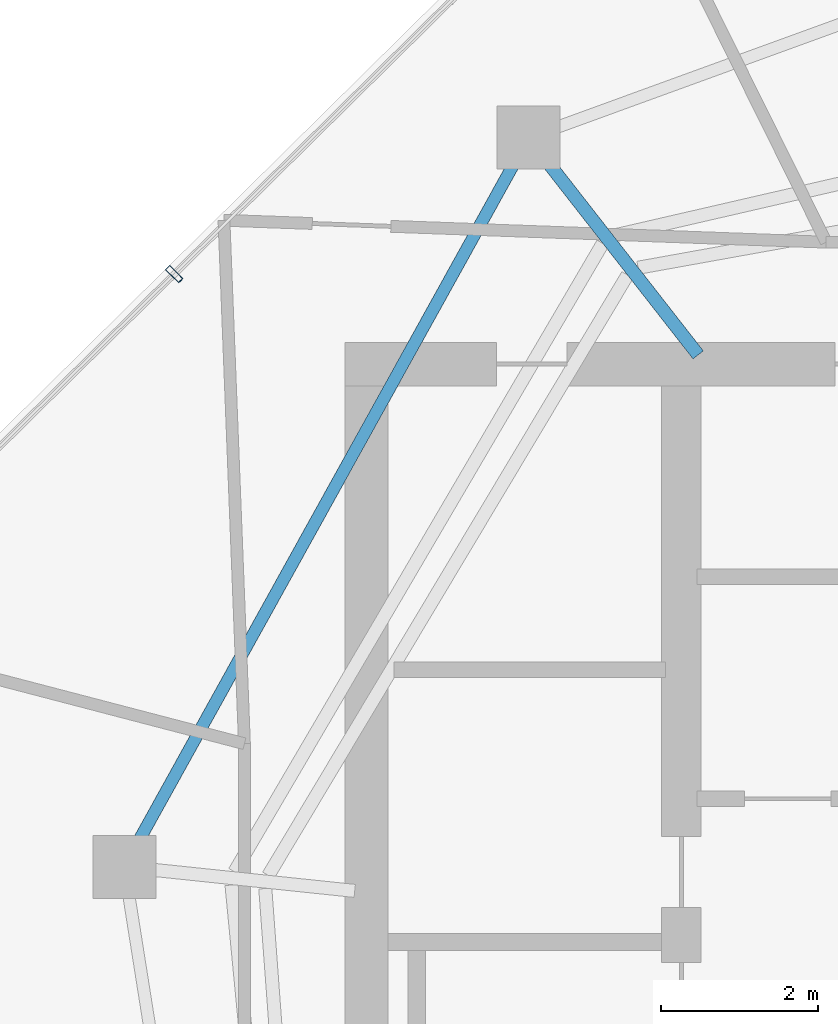
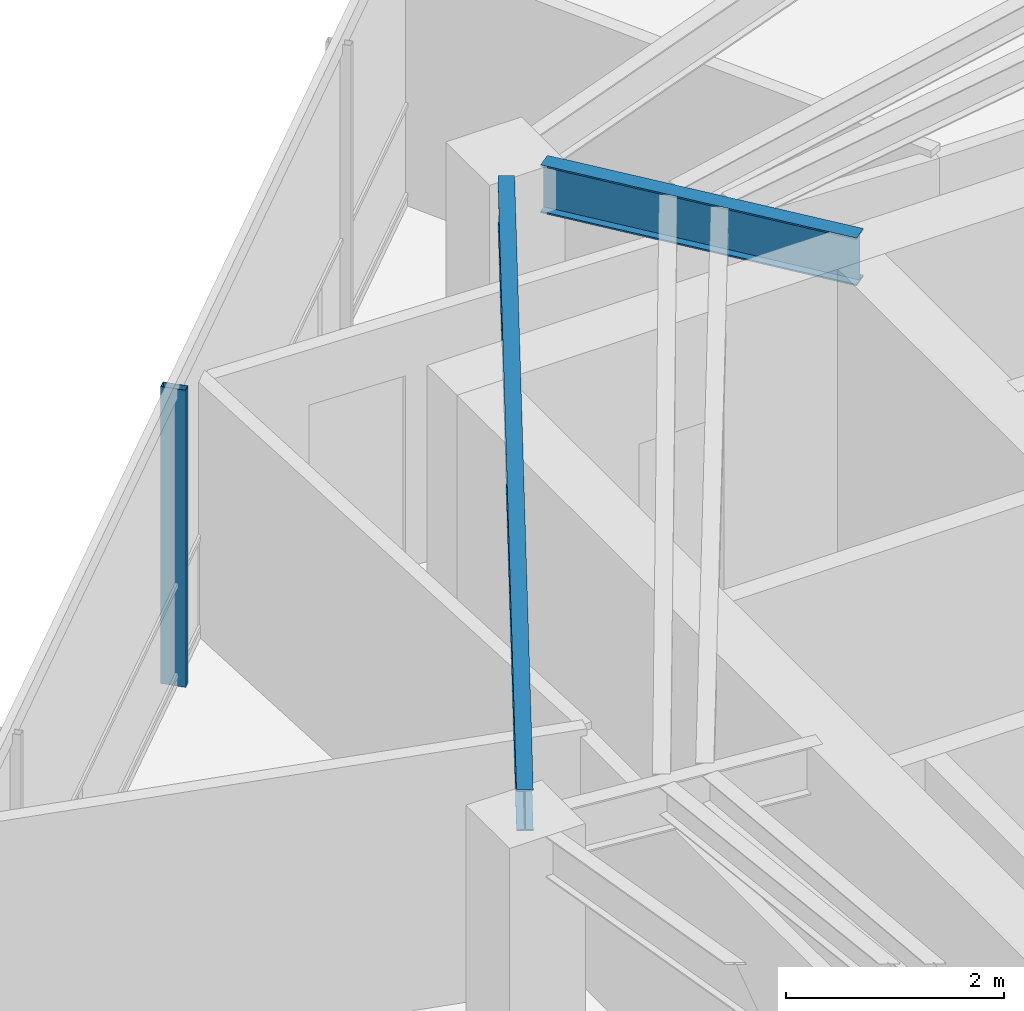
# One storey, part 7 of 19: 2 beams, 1 member, 1 element without a shape of its own.
"""IFC4 building model written with IfcOpenShell, lengths in metres."""

from ifc_helpers import new_model, si_unit, direction, frame, origin, origin_2d, place, context, subcontext, project, spatial, hollow_rectangle, i_section, extrude, material, layer, layer_set, material_profile, profile_set, type_object, element, aggregate, save


model = new_model("IFC4")

# Units and contexts
model_context = context("Model", 3, precision=1e-05, world=origin(), true_north=direction((0.0, 1.0)))
body_context = subcontext(model_context, "Body", "Model", "MODEL_VIEW")
ifc_project = project(units=[si_unit("LENGTHUNIT", "METRE"), si_unit("AREAUNIT", "SQUARE_METRE"), si_unit("VOLUMEUNIT", "CUBIC_METRE"), si_unit("PLANEANGLEUNIT", "RADIAN"), si_unit("MASSUNIT", "GRAM", prefix="KILO")], contexts=[model_context])

# Site, building, storey
site_placement = place(None, origin())
site = spatial("IfcSite", under=ifc_project, at=site_placement, CompositionType="ELEMENT")
building_placement = place(site_placement, origin())
building = spatial("IfcBuilding", under=site, at=building_placement, Name="Qarnah Convention Tower", CompositionType="ELEMENT")
storey_placement = place(building_placement, frame((0.0, 0.0, 235.5)))
storey = spatial("IfcBuildingStorey", under=building, at=storey_placement, Name="L63", CompositionType="ELEMENT", Elevation=235.5)

# Beams
ifc_material_1 = material(Name="Structural steel S355JR", Category="steel")
ifc_material_profile_1 = material_profile(ifc_material_1, i_section(OverallWidth=0.166015625, OverallDepth=0.535888671875, WebThickness=0.010009765625, FlangeThickness=0.01708984375, at=origin_2d()), Name="W530X85")
ifc_profile_set_1 = profile_set([ifc_material_profile_1], Name="Structural steel S355JR")
beam_type_1 = type_object("IfcBeamType", Name="BM-RAD-W530B", PredefinedType="BEAM", material=ifc_profile_set_1)
beam_1_placement = place(storey_placement, frame((31.013916015625, 34.318115234375, 3.052001953125), z_axis=(-0.61549837076, 0.78813815768, 0.0), x_axis=(-0.78813815768, -0.61549837076, 0.0)))
element("IfcBeam", 1, at=beam_1_placement, inside=storey, type_object=beam_type_1, Name="L63 beam BM-L63-RAD-04", PredefinedType="BEAM", context=body_context, shape_type="SweptSolid", body=[
    extrude(i_section(OverallWidth=0.166015625, OverallDepth=0.535888671875, WebThickness=0.010009765625, FlangeThickness=0.01708984375, at=origin_2d()), origin(), (0.0, 0.0, 1.0), 3.12255859375),
])
ifc_material_profile_2 = material_profile(ifc_material_1, i_section(OverallWidth=0.154052734375, OverallDepth=0.4599609375, WebThickness=0.009033203125, FlangeThickness=0.014892578125, at=origin_2d()), Name="W460X68")
ifc_profile_set_2 = profile_set([ifc_material_profile_2], Name="Structural steel S355JR")
beam_type_2 = type_object("IfcBeamType", Name="BM-SPN-W460B", PredefinedType="SPANDREL", material=ifc_profile_set_2)
beam_2_placement = place(storey_placement, frame((28.6689453125, 36.737060546875, 3.090087890625), z_axis=(-0.48479748752, -0.87462643231, 0.0), x_axis=(0.87462643231, -0.48479748752, 0.0)))
element("IfcBeam", 2, at=beam_2_placement, inside=storey, type_object=beam_type_2, Name="L63 spandrel BM-L63-SPN-04", PredefinedType="SPANDREL", context=body_context, shape_type="SweptSolid", body=[
    extrude(i_section(OverallWidth=0.154052734375, OverallDepth=0.4599609375, WebThickness=0.009033203125, FlangeThickness=0.014892578125, at=origin_2d()), origin(), (0.0, 0.0, 1.0), 9.81005859375),
])

# Curtain wall, member
ifc_material_2 = material(Name="Tempered Low-E dark glass", Category="glass")
ifc_layer = layer(ifc_material_2, 0.176025390625)
ifc_layer_set = layer_set([ifc_layer], Name="Tempered Low-E dark glass")
curtain_wall_type = type_object("IfcCurtainWallType", Name="CWS-05", PredefinedType="NOTDEFINED", material=ifc_layer_set)
curtain_wall_placement = place(storey_placement, origin())
curtain_wall = element("IfcCurtainWall", 3, at=curtain_wall_placement, inside=storey, type_object=curtain_wall_type, Name="L63 unitised curtain wall CW-L63-F2", PredefinedType="NOTDEFINED")
ifc_material_3 = material(Name="Black anodised aluminium", Category="aluminium")
ifc_material_profile_3 = material_profile(ifc_material_3, hollow_rectangle(XDim=0.080078125, YDim=0.239990234375, WallThickness=0.0048828125, at=origin_2d()), Name="MUL-80X240")
ifc_profile_set_3 = profile_set([ifc_material_profile_3], Name="Black anodised aluminium")
member_type = type_object("IfcMemberType", Name="MUL-T5", PredefinedType="MULLION", material=ifc_profile_set_3)
member_placement = place(storey_placement, frame((24.356689453125, 35.34521484375, 0.0), z_axis=(0.0, 0.0, 1.0), x_axis=(0.711543869216, 0.702641674099, 0.0)))
member = element("IfcMember", 4, at=member_placement, type_object=member_type, Name="CW-L63-F2 mullion 3", PredefinedType="MULLION", context=body_context, shape_type="SweptSolid", body=[
    extrude(hollow_rectangle(XDim=0.080078125, YDim=0.239990234375, WallThickness=0.0048828125, at=origin_2d()), origin(), (0.0, 0.0, 1.0), 3.320068359375),
])
aggregate(curtain_wall, [member])

save(model, "model.ifc")
